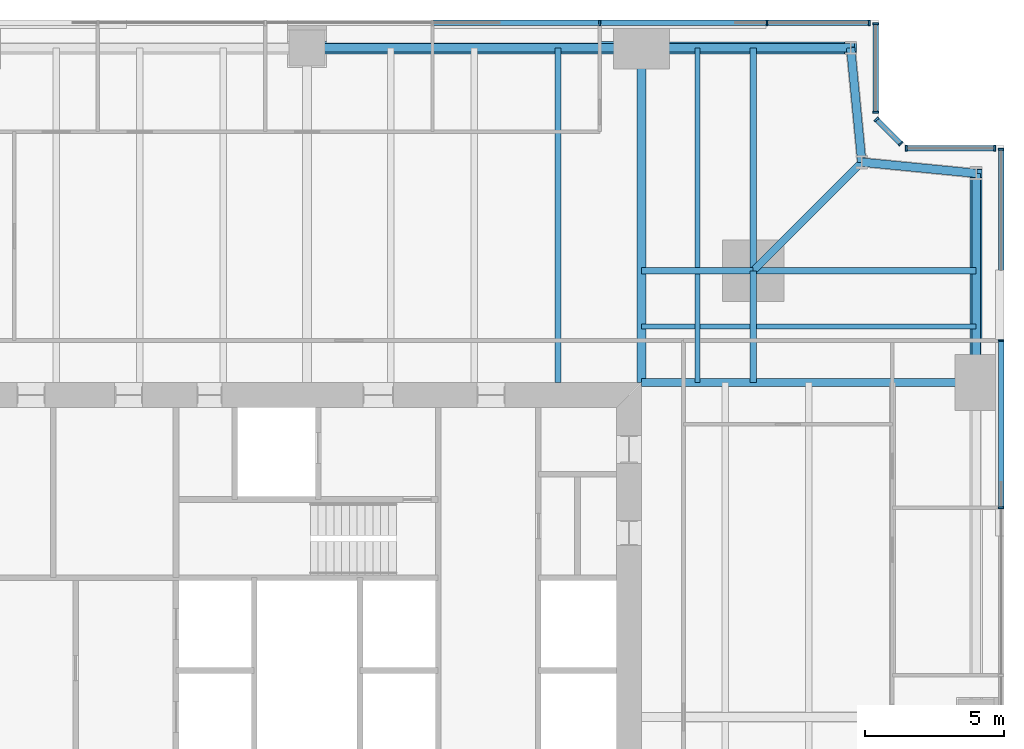
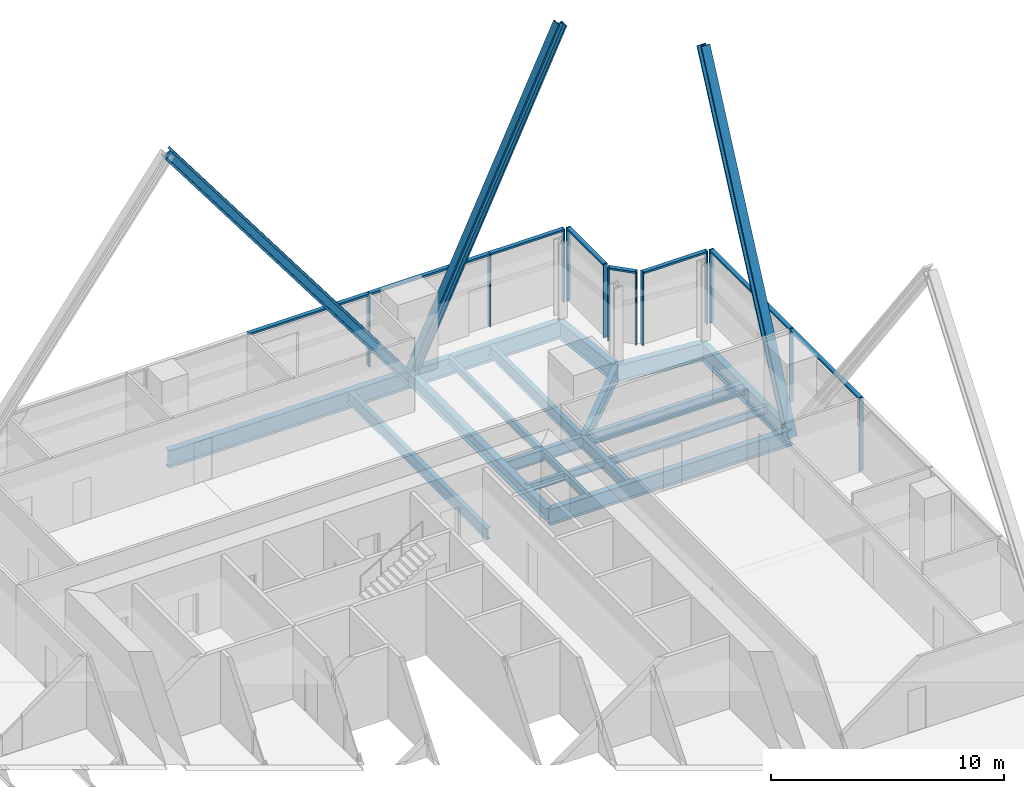
# One storey, part 7 of 14: 23 members, 18 beams, 5 elements without a shape of their own.
"""IFC4 building model written with IfcOpenShell, lengths in metres."""

from ifc_helpers import new_model, si_unit, direction, frame, origin, origin_2d, place, context, subcontext, project, spatial, rectangle, i_section, extrude, material, material_profile, profile_set, type_object, element, aggregate, save


model = new_model("IFC4")

# Units and contexts
model_context = context("Model", 3, precision=1e-05, world=origin(), true_north=direction((0.0, 1.0)))
body_context = subcontext(model_context, "Body", "Model", "MODEL_VIEW")
ifc_project = project(units=[si_unit("LENGTHUNIT", "METRE"), si_unit("AREAUNIT", "SQUARE_METRE"), si_unit("VOLUMEUNIT", "CUBIC_METRE"), si_unit("PLANEANGLEUNIT", "RADIAN"), si_unit("MASSUNIT", "GRAM", prefix="KILO")], contexts=[model_context])

# Site, building, storey
site_placement = place(None, origin())
site = spatial("IfcSite", under=ifc_project, at=site_placement, CompositionType="ELEMENT")
building_placement = place(site_placement, origin())
building = spatial("IfcBuilding", under=site, at=building_placement, Name="Fenwick Lantern Interchange", CompositionType="ELEMENT")
storey_placement = place(building_placement, frame((0.0, 0.0, 130.39990234375)))
storey = spatial("IfcBuildingStorey", under=building, at=storey_placement, Name="L30", CompositionType="ELEMENT", Elevation=130.39990234375)

# Beams
ifc_material_1 = material(Name="Steel ASTM A992 Grade 50", Category="steel")
ifc_material_profile_1 = material_profile(ifc_material_1, i_section(OverallWidth=0.3046875, OverallDepth=0.911865234375, WebThickness=0.015869140625, FlangeThickness=0.02392578125, at=origin_2d()), Name="W36X150")
ifc_profile_set_1 = profile_set([ifc_material_profile_1], Name="Steel ASTM A992 Grade 50")
beam_type_1 = type_object("IfcBeamType", Name="EDGE BEAM W36X150", PredefinedType="SPANDREL", material=ifc_profile_set_1)
beam_1_placement = place(storey_placement, frame((49.0, 37.0, -0.605712890625), z_axis=(0.0, 1.0, 0.0), x_axis=(-1.0, 0.0, 0.0)))
element("IfcBeam", 1, at=beam_1_placement, inside=storey, type_object=beam_type_1, Name="L30/FR/E/EB4", PredefinedType="SPANDREL", context=body_context, shape_type="SweptSolid", body=[
    extrude(i_section(OverallWidth=0.3046875, OverallDepth=0.911865234375, WebThickness=0.015869140625, FlangeThickness=0.02392578125, at=origin_2d()), origin(), (0.0, 0.0, 1.0), 7.5),
])
for number, where, z_axis, x_axis, name in (
    (2, (49.0, 44.5, -0.605712890625), (-0.995277148028, 0.097074191287, 0.0), (-0.097074191287, -0.995277148028, 0.0), "L30/FR/E/EBR1"),
    (3, (44.89990234375, 44.89990234375, -0.605712890625), (-0.097074191287, 0.995277148028, 0.0), (-0.995277148028, -0.097074191287, 0.0), "L30/FR/E/EBR2"),
):
    element("IfcBeam", number, at=place(storey_placement, frame(where, z_axis=z_axis, x_axis=x_axis)), inside=storey, type_object=beam_type_1, Name=name, PredefinedType="SPANDREL", context=body_context, shape_type="SweptSolid", body=[
        extrude(i_section(OverallWidth=0.3046875, OverallDepth=0.911865234375, WebThickness=0.015869140625, FlangeThickness=0.02392578125, at=origin_2d()), origin(), (0.0, 0.0, 1.0), 4.11962890625),
    ])
beam_2_placement = place(storey_placement, frame((44.5, 49.0, -0.605712890625), z_axis=(-1.0, 0.0, 0.0), x_axis=(0.0, -1.0, 0.0)))
element("IfcBeam", 4, at=beam_2_placement, inside=storey, type_object=beam_type_1, Name="L30/FR/N/EB1", PredefinedType="SPANDREL", context=body_context, shape_type="SweptSolid", body=[
    extrude(i_section(OverallWidth=0.3046875, OverallDepth=0.911865234375, WebThickness=0.015869140625, FlangeThickness=0.02392578125, at=origin_2d()), origin(), (0.0, 0.0, 1.0), 7.5),
])
beam_3_placement = place(storey_placement, frame((37.0, 49.0, -0.605712890625), z_axis=(-1.0, 0.0, 0.0), x_axis=(0.0, -1.0, 0.0)))
element("IfcBeam", 5, at=beam_3_placement, inside=storey, type_object=beam_type_1, Name="L30/FR/N/EB2", PredefinedType="SPANDREL", context=body_context, shape_type="SweptSolid", body=[
    extrude(i_section(OverallWidth=0.3046875, OverallDepth=0.911865234375, WebThickness=0.015869140625, FlangeThickness=0.02392578125, at=origin_2d()), origin(), (0.0, 0.0, 1.0), 12.0),
])

# Members
ifc_material_profile_2 = material_profile(ifc_material_1, i_section(OverallWidth=0.424072265625, OverallDepth=0.47509765625, WebThickness=0.0478515625, FlangeThickness=0.0771484375, at=origin_2d()), Name="W14X426")
ifc_profile_set_2 = profile_set([ifc_material_profile_2], Name="Steel ASTM A992 Grade 50")
member_type_1 = type_object("IfcMemberType", Name="FACADE BRACE W14X426", PredefinedType="BRACE", material=ifc_profile_set_2)
for number, where, z_axis, x_axis, name in (
    (6, (49.0, 37.0, -0.605712890625), (0.0, 0.424433876231, 0.905458935959), (-1.0, 0.0, 0.0), "L30/FB/E/BE"),
    (7, (37.0, 49.0, -0.605712890625), (0.424433876231, 0.0, 0.905458935959), (0.0, 1.0, 0.0), "L30/FB/N/AE"),
):
    element("IfcMember", number, at=place(storey_placement, frame(where, z_axis=z_axis, x_axis=x_axis)), inside=storey, type_object=member_type_1, Name=name, PredefinedType="BRACE", context=body_context, shape_type="SweptSolid", body=[
        extrude(i_section(OverallWidth=0.424072265625, OverallDepth=0.47509765625, WebThickness=0.0478515625, FlangeThickness=0.0771484375, at=origin_2d()), origin(), (0.0, 0.0, 1.0), 17.670654296875),
    ])
ifc_material_profile_3 = material_profile(ifc_material_1, i_section(OverallWidth=0.44189453125, OverallDepth=0.53076171875, WebThickness=0.06591796875, FlangeThickness=0.105712890625, at=origin_2d()), Name="W14X605")
ifc_profile_set_3 = profile_set([ifc_material_profile_3], Name="Steel ASTM A992 Grade 50")
member_type_2 = type_object("IfcMemberType", Name="FACADE BRACE W14X605", PredefinedType="BRACE", material=ifc_profile_set_3)
member_1_placement = place(storey_placement, frame((37.0, 49.0, -0.605712890625), z_axis=(-0.6, 0.0, 0.8), x_axis=(0.0, -1.0, 0.0)))
element("IfcMember", 8, at=member_1_placement, inside=storey, type_object=member_type_2, Name="L30/FB/N/A", PredefinedType="BRACE", context=body_context, shape_type="SweptSolid", body=[
    extrude(i_section(OverallWidth=0.44189453125, OverallDepth=0.53076171875, WebThickness=0.06591796875, FlangeThickness=0.105712890625, at=origin_2d()), origin(), (0.0, 0.0, 1.0), 20.0),
])

# Beams
ifc_material_profile_4 = material_profile(ifc_material_1, i_section(OverallWidth=0.22900390625, OverallDepth=0.612060546875, WebThickness=0.011962890625, FlangeThickness=0.01953125, at=origin_2d()), Name="W24X84")
ifc_profile_set_4 = profile_set([ifc_material_profile_4], Name="Steel ASTM A992 Grade 50")
beam_type_2 = type_object("IfcBeamType", Name="FLOOR BEAM W24X84", PredefinedType="BEAM", material=ifc_profile_set_4)
beam_4_placement = place(storey_placement, frame((34.0, 49.0, -0.4560546875), z_axis=(0.0, -1.0, 0.0), x_axis=(1.0, 0.0, 0.0)))
element("IfcBeam", 9, at=beam_4_placement, inside=storey, type_object=beam_type_2, Name="L30/FR/N/R02", PredefinedType="BEAM", context=body_context, shape_type="SweptSolid", body=[
    extrude(i_section(OverallWidth=0.22900390625, OverallDepth=0.612060546875, WebThickness=0.011962890625, FlangeThickness=0.01953125, at=origin_2d()), origin(), (0.0, 0.0, 1.0), 12.0),
])
ifc_material_profile_5 = material_profile(ifc_material_1, i_section(OverallWidth=0.177734375, OverallDepth=0.406494140625, WebThickness=0.0078125, FlangeThickness=0.012939453125, at=origin_2d()), Name="W16X40")
ifc_profile_set_5 = profile_set([ifc_material_profile_5], Name="Steel ASTM A992 Grade 50")
beam_type_3 = type_object("IfcBeamType", Name="INFILL BEAM W16X40", PredefinedType="JOIST", material=ifc_profile_set_5)
beam_5_placement = place(storey_placement, frame((39.0, 49.0, -0.35302734375), z_axis=(0.0, -1.0, 0.0), x_axis=(1.0, 0.0, 0.0)))
element("IfcBeam", 10, at=beam_5_placement, inside=storey, type_object=beam_type_3, Name="L30/FR/N/J1", PredefinedType="JOIST", context=body_context, shape_type="SweptSolid", body=[
    extrude(i_section(OverallWidth=0.177734375, OverallDepth=0.406494140625, WebThickness=0.0078125, FlangeThickness=0.012939453125, at=origin_2d()), origin(), (0.0, 0.0, 1.0), 7.885498046875),
])
beam_6_placement = place(storey_placement, frame((39.0, 40.885498046875, -0.35302734375), z_axis=(0.0, -1.0, 0.0), x_axis=(1.0, 0.0, 0.0)))
element("IfcBeam", 11, at=beam_6_placement, inside=storey, type_object=beam_type_3, Name="L30/FR/N/J2", PredefinedType="JOIST", context=body_context, shape_type="SweptSolid", body=[
    extrude(i_section(OverallWidth=0.177734375, OverallDepth=0.406494140625, WebThickness=0.0078125, FlangeThickness=0.012939453125, at=origin_2d()), origin(), (0.0, 0.0, 1.0), 3.885498046875),
])
beam_7_placement = place(storey_placement, frame((49.0, 39.0, -0.35302734375), z_axis=(-1.0, 0.0, 0.0), x_axis=(0.0, -1.0, 0.0)))
element("IfcBeam", 12, at=beam_7_placement, inside=storey, type_object=beam_type_3, Name="L30/FR/N/J3", PredefinedType="JOIST", context=body_context, shape_type="SweptSolid", body=[
    extrude(i_section(OverallWidth=0.177734375, OverallDepth=0.406494140625, WebThickness=0.0078125, FlangeThickness=0.012939453125, at=origin_2d()), origin(), (0.0, 0.0, 1.0), 7.885498046875),
])
beam_8_placement = place(storey_placement, frame((40.885498046875, 39.0, -0.35302734375), z_axis=(-1.0, 0.0, 0.0), x_axis=(0.0, -1.0, 0.0)))
element("IfcBeam", 13, at=beam_8_placement, inside=storey, type_object=beam_type_3, Name="L30/FR/N/J4", PredefinedType="JOIST", context=body_context, shape_type="SweptSolid", body=[
    extrude(i_section(OverallWidth=0.177734375, OverallDepth=0.406494140625, WebThickness=0.0078125, FlangeThickness=0.012939453125, at=origin_2d()), origin(), (0.0, 0.0, 1.0), 1.796630859375),
])
beam_9_placement = place(storey_placement, frame((38.9111328125, 39.0, -0.35302734375), z_axis=(-1.0, 0.0, 0.0), x_axis=(0.0, -1.0, 0.0)))
element("IfcBeam", 14, at=beam_9_placement, inside=storey, type_object=beam_type_3, Name="L30/FR/N/J5", PredefinedType="JOIST", context=body_context, shape_type="SweptSolid", body=[
    extrude(i_section(OverallWidth=0.177734375, OverallDepth=0.406494140625, WebThickness=0.0078125, FlangeThickness=0.012939453125, at=origin_2d()), origin(), (0.0, 0.0, 1.0), 1.9111328125),
])
ifc_material_profile_6 = material_profile(ifc_material_1, i_section(OverallWidth=0.22900390625, OverallDepth=0.612060546875, WebThickness=0.011962890625, FlangeThickness=0.01953125, at=origin_2d()), Name="W24X84")
ifc_profile_set_6 = profile_set([ifc_material_profile_6], Name="Steel ASTM A992 Grade 50")
beam_type_4 = type_object("IfcBeamType", Name="MEGA COLUMN BEAM W24X84", PredefinedType="BEAM", material=ifc_profile_set_6)
for number, where, z_axis, x_axis, name in (
    (15, (41.0, 41.0, -0.4560546875), (0.0, 1.0, 0.0), (-1.0, 0.0, 0.0), "L30/FR/N/MB1"),
    (16, (41.0, 41.0, -0.4560546875), (1.0, 0.0, 0.0), (0.0, 1.0, 0.0), "L30/FR/N/MB2"),
):
    element("IfcBeam", number, at=place(storey_placement, frame(where, z_axis=z_axis, x_axis=x_axis)), inside=storey, type_object=beam_type_4, Name=name, PredefinedType="BEAM", context=body_context, shape_type="SweptSolid", body=[
        extrude(i_section(OverallWidth=0.22900390625, OverallDepth=0.612060546875, WebThickness=0.011962890625, FlangeThickness=0.01953125, at=origin_2d()), origin(), (0.0, 0.0, 1.0), 8.0),
    ])
for number, where, z_axis, x_axis, name in (
    (17, (41.0, 41.0, -0.4560546875), (-1.0, 0.0, 0.0), (0.0, -1.0, 0.0), "L30/FR/N/MB3"),
    (18, (41.0, 41.0, -0.4560546875), (0.0, -1.0, 0.0), (1.0, 0.0, 0.0), "L30/FR/N/MB4"),
):
    element("IfcBeam", number, at=place(storey_placement, frame(where, z_axis=z_axis, x_axis=x_axis)), inside=storey, type_object=beam_type_4, Name=name, PredefinedType="BEAM", context=body_context, shape_type="SweptSolid", body=[
        extrude(i_section(OverallWidth=0.22900390625, OverallDepth=0.612060546875, WebThickness=0.011962890625, FlangeThickness=0.01953125, at=origin_2d()), origin(), (0.0, 0.0, 1.0), 4.0),
    ])
ifc_material_profile_7 = material_profile(ifc_material_1, i_section(OverallWidth=0.32763671875, OverallDepth=0.622314453125, WebThickness=0.015380859375, FlangeThickness=0.0244140625, at=origin_2d()), Name="W24X131")
ifc_profile_set_7 = profile_set([ifc_material_profile_7], Name="Steel ASTM A992 Grade 50")
beam_type_5 = type_object("IfcBeamType", Name="MOMENT-CONNECTED GIRDER W24X131", PredefinedType="BEAM", material=ifc_profile_set_7)
beam_10_placement = place(storey_placement, frame((37.0, 49.0, -0.4609375), z_axis=(0.0, -1.0, 0.0), x_axis=(1.0, 0.0, 0.0)))
element("IfcBeam", 19, at=beam_10_placement, inside=storey, type_object=beam_type_5, Name="L30/FR/N/R01", PredefinedType="BEAM", context=body_context, shape_type="SweptSolid", body=[
    extrude(i_section(OverallWidth=0.32763671875, OverallDepth=0.622314453125, WebThickness=0.015380859375, FlangeThickness=0.0244140625, at=origin_2d()), origin(), (0.0, 0.0, 1.0), 12.0),
])
ifc_material_profile_8 = material_profile(ifc_material_1, i_section(OverallWidth=0.2919921875, OverallDepth=0.845703125, WebThickness=0.015380859375, FlangeThickness=0.0244140625, at=origin_2d()), Name="W33X141")
ifc_profile_set_8 = profile_set([ifc_material_profile_8], Name="Steel ASTM A992 Grade 50")
beam_type_6 = type_object("IfcBeamType", Name="MOMENT-CONNECTED GIRDER W33X141", PredefinedType="BEAM", material=ifc_profile_set_8)
beam_11_placement = place(storey_placement, frame((49.0, 37.0, -0.57275390625), z_axis=(-1.0, 0.0, 0.0), x_axis=(0.0, -1.0, 0.0)))
element("IfcBeam", 20, at=beam_11_placement, inside=storey, type_object=beam_type_6, Name="L30/FR/E/R03", PredefinedType="BEAM", context=body_context, shape_type="SweptSolid", body=[
    extrude(i_section(OverallWidth=0.2919921875, OverallDepth=0.845703125, WebThickness=0.015380859375, FlangeThickness=0.0244140625, at=origin_2d()), origin(), (0.0, 0.0, 1.0), 12.0),
])
ifc_material_profile_9 = material_profile(ifc_material_1, i_section(OverallWidth=0.2666015625, OverallDepth=0.7568359375, WebThickness=0.013916015625, FlangeThickness=0.019287109375, at=origin_2d()), Name="W30X108")
ifc_profile_set_9 = profile_set([ifc_material_profile_9], Name="Steel ASTM A992 Grade 50")
beam_type_7 = type_object("IfcBeamType", Name="NOTCH BEAM W30X108", PredefinedType="BEAM", material=ifc_profile_set_9)
beam_12_placement = place(storey_placement, frame((41.0, 41.0, -0.5283203125), z_axis=(0.707106781187, 0.707106781187, 0.0), x_axis=(-0.707106781187, 0.707106781187, 0.0)))
element("IfcBeam", 21, at=beam_12_placement, inside=storey, type_object=beam_type_7, Name="L30/FR/N/TG", PredefinedType="BEAM", context=body_context, shape_type="SweptSolid", body=[
    extrude(i_section(OverallWidth=0.2666015625, OverallDepth=0.7568359375, WebThickness=0.013916015625, FlangeThickness=0.019287109375, at=origin_2d()), origin(), (0.0, 0.0, 1.0), 5.515380859375),
])

# Curtain wall, members
ifc_material_2 = material(Name="Aluminium curtain wall frame", Category="aluminium")
curtain_wall_type = type_object("IfcCurtainWallType", Name="OFFICE CURTAIN WALL", PredefinedType="USERDEFINED", material=ifc_material_2)
curtain_wall_1_placement = place(storey_placement, origin())
curtain_wall_1 = element("IfcCurtainWall", 22, at=curtain_wall_1_placement, inside=storey, type_object=curtain_wall_type, Name="Office curtain wall 05", ObjectType="OFFICE CURTAIN WALL", PredefinedType="USERDEFINED")
ifc_material_3 = material(Name="Aluminium extrusion", Category="aluminium")
ifc_material_profile_10 = material_profile(ifc_material_3, rectangle(XDim=0.199951171875, YDim=0.06494140625, at=origin_2d()), Name="OFFICE CURTAIN WALL MULLION 65 X 200")
ifc_profile_set_10 = profile_set([ifc_material_profile_10], Name="Aluminium extrusion")
member_type_3 = type_object("IfcMemberType", Name="OFFICE CURTAIN WALL MULLION 65 X 200", PredefinedType="MULLION", material=ifc_profile_set_10)
member_2_placement = place(storey_placement, frame((49.89990234375, 32.5, 0.0), z_axis=(0.0, 0.0, 1.0), x_axis=(-1.0, 0.0, 0.0)))
member_2 = element("IfcMember", 23, at=member_2_placement, type_object=member_type_3, Name="L30/CW/05/M05", PredefinedType="MULLION", context=body_context, shape_type="SweptSolid", body=[
    extrude(rectangle(XDim=0.199951171875, YDim=0.06494140625, at=origin_2d()), origin(), (0.0, 0.0, 1.0), 3.85009765625),
])
member_3_placement = place(storey_placement, frame((49.89990234375, 38.5, 0.0), z_axis=(0.0, 0.0, 1.0), x_axis=(-1.0, 0.0, 0.0)))
member_3 = element("IfcMember", 24, at=member_3_placement, type_object=member_type_3, Name="L30/CW/05/M06", PredefinedType="MULLION", context=body_context, shape_type="SweptSolid", body=[
    extrude(rectangle(XDim=0.199951171875, YDim=0.06494140625, at=origin_2d()), origin(), (0.0, 0.0, 1.0), 3.85009765625),
])
member_4_placement = place(storey_placement, frame((49.89990234375, 45.367431640625, 0.0), z_axis=(0.0, 0.0, 1.0), x_axis=(-1.0, 0.0, 0.0)))
member_4 = element("IfcMember", 25, at=member_4_placement, type_object=member_type_3, Name="L30/CW/05/M07", PredefinedType="MULLION", context=body_context, shape_type="SweptSolid", body=[
    extrude(rectangle(XDim=0.199951171875, YDim=0.06494140625, at=origin_2d()), origin(), (0.0, 0.0, 1.0), 3.85009765625),
])

curtain_wall_2_placement = place(storey_placement, origin())
curtain_wall_2 = element("IfcCurtainWall", 26, at=curtain_wall_2_placement, inside=storey, type_object=curtain_wall_type, Name="Office curtain wall 06", ObjectType="OFFICE CURTAIN WALL", PredefinedType="USERDEFINED")
member_5_placement = place(storey_placement, frame((49.66748046875, 45.39990234375, 0.0), z_axis=(0.0, 0.0, 1.0), x_axis=(0.0, -1.0, 0.0)))
member_5 = element("IfcMember", 27, at=member_5_placement, type_object=member_type_3, Name="L30/CW/06/M00", PredefinedType="MULLION", context=body_context, shape_type="SweptSolid", body=[
    extrude(rectangle(XDim=0.199951171875, YDim=0.06494140625, at=origin_2d()), origin(), (0.0, 0.0, 1.0), 3.85009765625),
])
member_6_placement = place(storey_placement, frame((46.490966796875, 45.39990234375, 0.0), z_axis=(0.0, 0.0, 1.0), x_axis=(0.0, -1.0, 0.0)))
member_6 = element("IfcMember", 28, at=member_6_placement, type_object=member_type_3, Name="L30/CW/06/M01", PredefinedType="MULLION", context=body_context, shape_type="SweptSolid", body=[
    extrude(rectangle(XDim=0.199951171875, YDim=0.06494140625, at=origin_2d()), origin(), (0.0, 0.0, 1.0), 3.85009765625),
])

curtain_wall_3_placement = place(storey_placement, origin())
curtain_wall_3 = element("IfcCurtainWall", 29, at=curtain_wall_3_placement, inside=storey, type_object=curtain_wall_type, Name="Office curtain wall 07", ObjectType="OFFICE CURTAIN WALL", PredefinedType="USERDEFINED")
member_7_placement = place(storey_placement, frame((46.294189453125, 45.564453125, 0.0), z_axis=(0.0, 0.0, 1.0), x_axis=(-0.707106781187, -0.707106781187, 0.0)))
member_7 = element("IfcMember", 30, at=member_7_placement, type_object=member_type_3, Name="L30/CW/07/M00", PredefinedType="MULLION", context=body_context, shape_type="SweptSolid", body=[
    extrude(rectangle(XDim=0.199951171875, YDim=0.06494140625, at=origin_2d()), origin(), (0.0, 0.0, 1.0), 3.85009765625),
])
member_8_placement = place(storey_placement, frame((45.423095703125, 46.435546875, 0.0), z_axis=(0.0, 0.0, 1.0), x_axis=(-0.707106781187, -0.707106781187, 0.0)))
member_8 = element("IfcMember", 31, at=member_8_placement, type_object=member_type_3, Name="L30/CW/07/M01", PredefinedType="MULLION", context=body_context, shape_type="SweptSolid", body=[
    extrude(rectangle(XDim=0.199951171875, YDim=0.06494140625, at=origin_2d()), origin(), (0.0, 0.0, 1.0), 3.85009765625),
])

curtain_wall_4_placement = place(storey_placement, origin())
curtain_wall_4 = element("IfcCurtainWall", 32, at=curtain_wall_4_placement, inside=storey, type_object=curtain_wall_type, Name="Office curtain wall 08", ObjectType="OFFICE CURTAIN WALL", PredefinedType="USERDEFINED")
member_9_placement = place(storey_placement, frame((45.39990234375, 46.691162109375, 0.0), z_axis=(0.0, 0.0, 1.0), x_axis=(-1.0, 0.0, 0.0)))
member_9 = element("IfcMember", 33, at=member_9_placement, type_object=member_type_3, Name="L30/CW/08/M00", PredefinedType="MULLION", context=body_context, shape_type="SweptSolid", body=[
    extrude(rectangle(XDim=0.199951171875, YDim=0.06494140625, at=origin_2d()), origin(), (0.0, 0.0, 1.0), 3.85009765625),
])
member_10_placement = place(storey_placement, frame((45.39990234375, 49.867431640625, 0.0), z_axis=(0.0, 0.0, 1.0), x_axis=(-1.0, 0.0, 0.0)))
member_10 = element("IfcMember", 34, at=member_10_placement, type_object=member_type_3, Name="L30/CW/08/M01", PredefinedType="MULLION", context=body_context, shape_type="SweptSolid", body=[
    extrude(rectangle(XDim=0.199951171875, YDim=0.06494140625, at=origin_2d()), origin(), (0.0, 0.0, 1.0), 3.85009765625),
])

curtain_wall_5_placement = place(storey_placement, origin())
curtain_wall_5 = element("IfcCurtainWall", 35, at=curtain_wall_5_placement, inside=storey, type_object=curtain_wall_type, Name="Office curtain wall 09", ObjectType="OFFICE CURTAIN WALL", PredefinedType="USERDEFINED")
member_11_placement = place(storey_placement, frame((45.16748046875, 49.89990234375, 0.0), z_axis=(0.0, 0.0, 1.0), x_axis=(0.0, -1.0, 0.0)))
member_11 = element("IfcMember", 36, at=member_11_placement, type_object=member_type_3, Name="L30/CW/09/M00", PredefinedType="MULLION", context=body_context, shape_type="SweptSolid", body=[
    extrude(rectangle(XDim=0.199951171875, YDim=0.06494140625, at=origin_2d()), origin(), (0.0, 0.0, 1.0), 3.85009765625),
])
member_12_placement = place(storey_placement, frame((41.5, 49.89990234375, 0.0), z_axis=(0.0, 0.0, 1.0), x_axis=(0.0, -1.0, 0.0)))
member_12 = element("IfcMember", 37, at=member_12_placement, type_object=member_type_3, Name="L30/CW/09/M01", PredefinedType="MULLION", context=body_context, shape_type="SweptSolid", body=[
    extrude(rectangle(XDim=0.199951171875, YDim=0.06494140625, at=origin_2d()), origin(), (0.0, 0.0, 1.0), 3.85009765625),
])
member_13_placement = place(storey_placement, frame((35.5, 49.89990234375, 0.0), z_axis=(0.0, 0.0, 1.0), x_axis=(0.0, -1.0, 0.0)))
member_13 = element("IfcMember", 38, at=member_13_placement, type_object=member_type_3, Name="L30/CW/09/M02", PredefinedType="MULLION", context=body_context, shape_type="SweptSolid", body=[
    extrude(rectangle(XDim=0.199951171875, YDim=0.06494140625, at=origin_2d()), origin(), (0.0, 0.0, 1.0), 3.85009765625),
])

# Member
ifc_material_profile_11 = material_profile(ifc_material_3, rectangle(XDim=0.199951171875, YDim=0.10009765625, at=origin_2d()), Name="OFFICE CURTAIN WALL TRANSOM 100 X 200")
ifc_profile_set_11 = profile_set([ifc_material_profile_11], Name="Aluminium extrusion")
member_type_4 = type_object("IfcMemberType", Name="OFFICE CURTAIN WALL TRANSOM 100 X 200", PredefinedType="MULLION", material=ifc_profile_set_11)
member_14_placement = place(storey_placement, frame((49.89990234375, 32.532470703125, 3.800048828125), z_axis=(0.0, 1.0, 0.0), x_axis=(-1.0, 0.0, 0.0)))
member_14 = element("IfcMember", 39, at=member_14_placement, type_object=member_type_4, Name="L30/CW/05/T05", PredefinedType="MULLION", context=body_context, shape_type="SweptSolid", body=[
    extrude(rectangle(XDim=0.199951171875, YDim=0.10009765625, at=origin_2d()), origin(), (0.0, 0.0, 1.0), 5.93505859375),
])

member_15_placement = place(storey_placement, frame((49.89990234375, 38.532470703125, 3.800048828125), z_axis=(0.0, 1.0, 0.0), x_axis=(-1.0, 0.0, 0.0)))
member_15 = element("IfcMember", 40, at=member_15_placement, type_object=member_type_4, Name="L30/CW/05/T06", PredefinedType="MULLION", context=body_context, shape_type="SweptSolid", body=[
    extrude(rectangle(XDim=0.199951171875, YDim=0.10009765625, at=origin_2d()), origin(), (0.0, 0.0, 1.0), 6.802490234375),
])

aggregate(curtain_wall_1, [member_2, member_3, member_4, member_14, member_15])

member_16_placement = place(storey_placement, frame((49.635009765625, 45.39990234375, 3.800048828125), z_axis=(-1.0, 0.0, 0.0), x_axis=(0.0, -1.0, 0.0)))
member_16 = element("IfcMember", 41, at=member_16_placement, type_object=member_type_4, Name="L30/CW/06/T00", PredefinedType="MULLION", context=body_context, shape_type="SweptSolid", body=[
    extrude(rectangle(XDim=0.199951171875, YDim=0.10009765625, at=origin_2d()), origin(), (0.0, 0.0, 1.0), 3.111328125),
])

aggregate(curtain_wall_2, [member_5, member_6, member_16])

member_17_placement = place(storey_placement, frame((46.271240234375, 45.58740234375, 3.800048828125), z_axis=(-0.707106781187, 0.707106781187, 0.0), x_axis=(-0.707106781187, -0.707106781187, 0.0)))
member_17 = element("IfcMember", 42, at=member_17_placement, type_object=member_type_4, Name="L30/CW/07/T00", PredefinedType="MULLION", context=body_context, shape_type="SweptSolid", body=[
    extrude(rectangle(XDim=0.199951171875, YDim=0.10009765625, at=origin_2d()), origin(), (0.0, 0.0, 1.0), 1.1669921875),
])

aggregate(curtain_wall_3, [member_7, member_8, member_17])

member_18_placement = place(storey_placement, frame((45.39990234375, 46.7236328125, 3.800048828125), z_axis=(0.0, 1.0, 0.0), x_axis=(-1.0, 0.0, 0.0)))
member_18 = element("IfcMember", 43, at=member_18_placement, type_object=member_type_4, Name="L30/CW/08/T00", PredefinedType="MULLION", context=body_context, shape_type="SweptSolid", body=[
    extrude(rectangle(XDim=0.199951171875, YDim=0.10009765625, at=origin_2d()), origin(), (0.0, 0.0, 1.0), 3.111328125),
])

aggregate(curtain_wall_4, [member_9, member_10, member_18])

member_19_placement = place(storey_placement, frame((45.135009765625, 49.89990234375, 3.800048828125), z_axis=(-1.0, 0.0, 0.0), x_axis=(0.0, -1.0, 0.0)))
member_19 = element("IfcMember", 44, at=member_19_placement, type_object=member_type_4, Name="L30/CW/09/T00", PredefinedType="MULLION", context=body_context, shape_type="SweptSolid", body=[
    extrude(rectangle(XDim=0.199951171875, YDim=0.10009765625, at=origin_2d()), origin(), (0.0, 0.0, 1.0), 3.6025390625),
])

member_20_placement = place(storey_placement, frame((41.467529296875, 49.89990234375, 3.800048828125), z_axis=(-1.0, 0.0, 0.0), x_axis=(0.0, -1.0, 0.0)))
member_20 = element("IfcMember", 45, at=member_20_placement, type_object=member_type_4, Name="L30/CW/09/T01", PredefinedType="MULLION", context=body_context, shape_type="SweptSolid", body=[
    extrude(rectangle(XDim=0.199951171875, YDim=0.10009765625, at=origin_2d()), origin(), (0.0, 0.0, 1.0), 5.93505859375),
])

member_21_placement = place(storey_placement, frame((35.467529296875, 49.89990234375, 3.800048828125), z_axis=(-1.0, 0.0, 0.0), x_axis=(0.0, -1.0, 0.0)))
member_21 = element("IfcMember", 46, at=member_21_placement, type_object=member_type_4, Name="L30/CW/09/T02", PredefinedType="MULLION", context=body_context, shape_type="SweptSolid", body=[
    extrude(rectangle(XDim=0.199951171875, YDim=0.10009765625, at=origin_2d()), origin(), (0.0, 0.0, 1.0), 5.93505859375),
])

aggregate(curtain_wall_5, [member_11, member_12, member_13, member_19, member_20, member_21])

save(model, "model.ifc")
